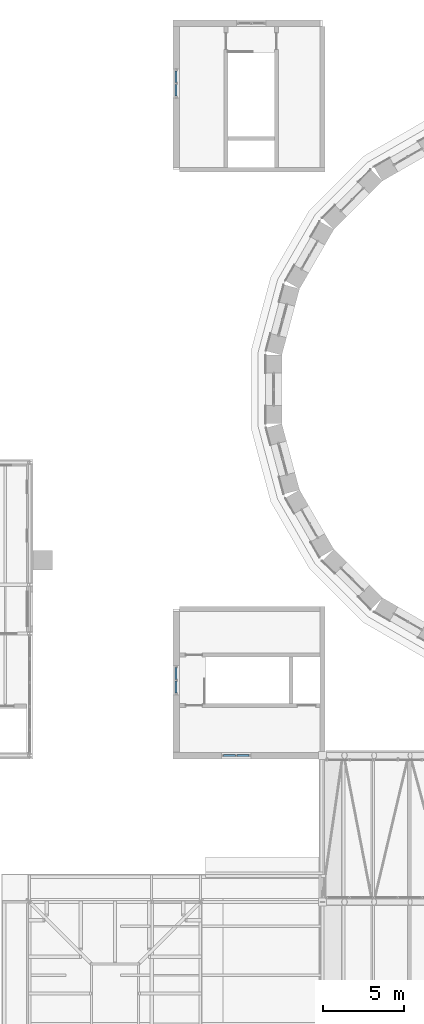
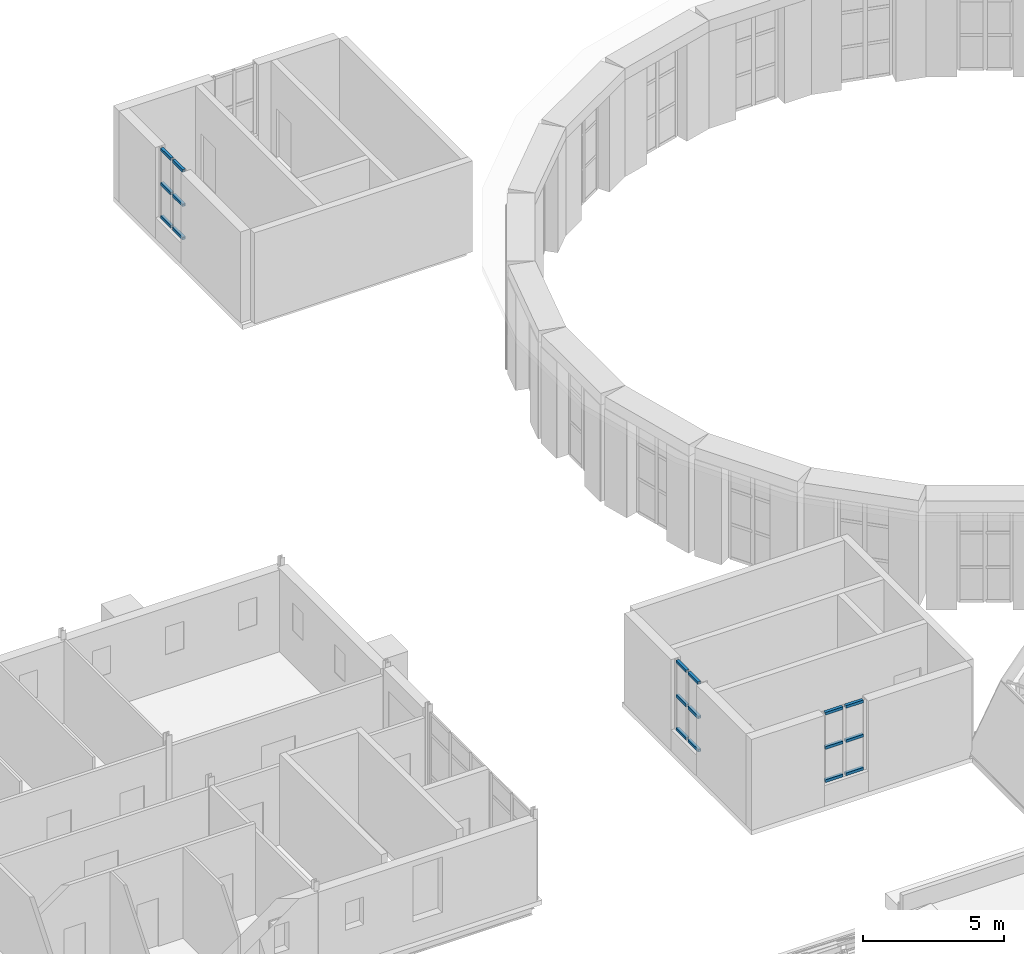
# One storey, part 68 of 121: 18 members, 3 elements without a shape of their own.
"""IFC4 building model written with IfcOpenShell, lengths in metres."""

from ifc_helpers import new_model, si_unit, direction, frame, origin, origin_2d, place, context, subcontext, project, spatial, hollow_rectangle, extrude, material, material_profile, profile_set, type_object, element, aggregate, save


model = new_model("IFC4")

# Units and contexts
model_context = context("Model", 3, precision=1e-05, world=origin(), true_north=direction((0.0, 1.0)))
body_context = subcontext(model_context, "Body", "Model", "MODEL_VIEW")
ifc_project = project(units=[si_unit("LENGTHUNIT", "METRE"), si_unit("AREAUNIT", "SQUARE_METRE"), si_unit("VOLUMEUNIT", "CUBIC_METRE"), si_unit("PLANEANGLEUNIT", "RADIAN"), si_unit("MASSUNIT", "GRAM", prefix="KILO")], contexts=[model_context])

# Site, building, storey
site_placement = place(None, origin())
site = spatial("IfcSite", under=ifc_project, at=site_placement, CompositionType="ELEMENT")
building_placement = place(site_placement, origin())
building = spatial("IfcBuilding", under=site, at=building_placement, Name="Golden Quay Civic Hall", CompositionType="ELEMENT")
storey_placement = place(building_placement, frame((0.0, 0.0, 18.60009765625)))
storey = spatial("IfcBuildingStorey", under=building, at=storey_placement, Name="L04", CompositionType="ELEMENT", Elevation=18.60009765625)

# Curtain wall, members
ifc_material_1 = material(Name="Fire-resisting glass and steel", Category="steel")
curtain_wall_type = type_object("IfcCurtainWallType", Name="Fire-resisting glazed stair curtain wall EI 120", PredefinedType="NOTDEFINED", material=ifc_material_1)
curtain_wall_1_placement = place(storey_placement, origin())
curtain_wall_1 = element("IfcCurtainWall", 1, at=curtain_wall_1_placement, inside=storey, type_object=curtain_wall_type, Name="CW4 stair curtain wall", PredefinedType="NOTDEFINED")
ifc_material_2 = material(Name="Steel S355", Category="steel")
ifc_material_profile = material_profile(ifc_material_2, hollow_rectangle(XDim=0.1201171875, YDim=0.1201171875, WallThickness=0.012451171875, at=origin_2d()), Name="SHS 120x120x12.5")
ifc_profile_set = profile_set([ifc_material_profile], Name="Steel S355")
member_type = type_object("IfcMemberType", Name="Fire-resisting steel stair transom 120 x 120", PredefinedType="USERDEFINED", material=ifc_profile_set)
member_1_placement = place(storey_placement, frame((65.919921875, 63.0, 0.9599609375), z_axis=(1.0, 0.0, 0.0), x_axis=(0.0, 1.0, 0.0)))
member_1 = element("IfcMember", 2, at=member_1_placement, type_object=member_type, Name="CW4 transom 1.1", ObjectType="TRANSOM", PredefinedType="USERDEFINED", context=body_context, shape_type="SweptSolid", body=[
    extrude(hollow_rectangle(XDim=0.1201171875, YDim=0.1201171875, WallThickness=0.012451171875, at=origin_2d()), origin(), (0.0, 0.0, 1.0), 0.719970703125),
])
member_2_placement = place(storey_placement, frame((65.919921875, 63.0, 2.39990234375), z_axis=(1.0, 0.0, 0.0), x_axis=(0.0, 1.0, 0.0)))
member_2 = element("IfcMember", 3, at=member_2_placement, type_object=member_type, Name="CW4 transom 1.2", ObjectType="TRANSOM", PredefinedType="USERDEFINED", context=body_context, shape_type="SweptSolid", body=[
    extrude(hollow_rectangle(XDim=0.1201171875, YDim=0.1201171875, WallThickness=0.012451171875, at=origin_2d()), origin(), (0.0, 0.0, 1.0), 0.719970703125),
])
member_3_placement = place(storey_placement, frame((65.919921875, 63.0, 3.889892578125), z_axis=(1.0, 0.0, 0.0), x_axis=(0.0, 1.0, 0.0)))
member_3 = element("IfcMember", 4, at=member_3_placement, type_object=member_type, Name="CW4 transom 1.3", ObjectType="TRANSOM", PredefinedType="USERDEFINED", context=body_context, shape_type="SweptSolid", body=[
    extrude(hollow_rectangle(XDim=0.1201171875, YDim=0.1201171875, WallThickness=0.012451171875, at=origin_2d()), origin(), (0.0, 0.0, 1.0), 0.719970703125),
])
member_4_placement = place(storey_placement, frame((66.760009765625, 63.0, 0.9599609375), z_axis=(1.0, 0.0, 0.0), x_axis=(0.0, 1.0, 0.0)))
member_4 = element("IfcMember", 5, at=member_4_placement, type_object=member_type, Name="CW4 transom 2.1", ObjectType="TRANSOM", PredefinedType="USERDEFINED", context=body_context, shape_type="SweptSolid", body=[
    extrude(hollow_rectangle(XDim=0.1201171875, YDim=0.1201171875, WallThickness=0.012451171875, at=origin_2d()), origin(), (0.0, 0.0, 1.0), 0.719970703125),
])
member_5_placement = place(storey_placement, frame((66.760009765625, 63.0, 2.39990234375), z_axis=(1.0, 0.0, 0.0), x_axis=(0.0, 1.0, 0.0)))
member_5 = element("IfcMember", 6, at=member_5_placement, type_object=member_type, Name="CW4 transom 2.2", ObjectType="TRANSOM", PredefinedType="USERDEFINED", context=body_context, shape_type="SweptSolid", body=[
    extrude(hollow_rectangle(XDim=0.1201171875, YDim=0.1201171875, WallThickness=0.012451171875, at=origin_2d()), origin(), (0.0, 0.0, 1.0), 0.719970703125),
])
member_6_placement = place(storey_placement, frame((66.760009765625, 63.0, 3.889892578125), z_axis=(1.0, 0.0, 0.0), x_axis=(0.0, 1.0, 0.0)))
member_6 = element("IfcMember", 7, at=member_6_placement, type_object=member_type, Name="CW4 transom 2.3", ObjectType="TRANSOM", PredefinedType="USERDEFINED", context=body_context, shape_type="SweptSolid", body=[
    extrude(hollow_rectangle(XDim=0.1201171875, YDim=0.1201171875, WallThickness=0.012451171875, at=origin_2d()), origin(), (0.0, 0.0, 1.0), 0.719970703125),
])
aggregate(curtain_wall_1, [member_1, member_2, member_3, member_4, member_5, member_6])

curtain_wall_2_placement = place(storey_placement, origin())
curtain_wall_2 = element("IfcCurtainWall", 8, at=curtain_wall_2_placement, inside=storey, type_object=curtain_wall_type, Name="CW4 stair curtain wall", PredefinedType="NOTDEFINED")
member_7_placement = place(storey_placement, frame((63.0, 66.844970703125, 0.9599609375), z_axis=(0.0, 1.0, 0.0), x_axis=(-1.0, 0.0, 0.0)))
member_7 = element("IfcMember", 9, at=member_7_placement, type_object=member_type, Name="CW4 transom 1.1", ObjectType="TRANSOM", PredefinedType="USERDEFINED", context=body_context, shape_type="SweptSolid", body=[
    extrude(hollow_rectangle(XDim=0.1201171875, YDim=0.1201171875, WallThickness=0.012451171875, at=origin_2d()), origin(), (0.0, 0.0, 1.0), 0.719970703125),
])
member_8_placement = place(storey_placement, frame((63.0, 66.844970703125, 2.39990234375), z_axis=(0.0, 1.0, 0.0), x_axis=(-1.0, 0.0, 0.0)))
member_8 = element("IfcMember", 10, at=member_8_placement, type_object=member_type, Name="CW4 transom 1.2", ObjectType="TRANSOM", PredefinedType="USERDEFINED", context=body_context, shape_type="SweptSolid", body=[
    extrude(hollow_rectangle(XDim=0.1201171875, YDim=0.1201171875, WallThickness=0.012451171875, at=origin_2d()), origin(), (0.0, 0.0, 1.0), 0.719970703125),
])
member_9_placement = place(storey_placement, frame((63.0, 66.844970703125, 3.889892578125), z_axis=(0.0, 1.0, 0.0), x_axis=(-1.0, 0.0, 0.0)))
member_9 = element("IfcMember", 11, at=member_9_placement, type_object=member_type, Name="CW4 transom 1.3", ObjectType="TRANSOM", PredefinedType="USERDEFINED", context=body_context, shape_type="SweptSolid", body=[
    extrude(hollow_rectangle(XDim=0.1201171875, YDim=0.1201171875, WallThickness=0.012451171875, at=origin_2d()), origin(), (0.0, 0.0, 1.0), 0.719970703125),
])
member_10_placement = place(storey_placement, frame((63.0, 67.68505859375, 0.9599609375), z_axis=(0.0, 1.0, 0.0), x_axis=(-1.0, 0.0, 0.0)))
member_10 = element("IfcMember", 12, at=member_10_placement, type_object=member_type, Name="CW4 transom 2.1", ObjectType="TRANSOM", PredefinedType="USERDEFINED", context=body_context, shape_type="SweptSolid", body=[
    extrude(hollow_rectangle(XDim=0.1201171875, YDim=0.1201171875, WallThickness=0.012451171875, at=origin_2d()), origin(), (0.0, 0.0, 1.0), 0.719970703125),
])
member_11_placement = place(storey_placement, frame((63.0, 67.68505859375, 2.39990234375), z_axis=(0.0, 1.0, 0.0), x_axis=(-1.0, 0.0, 0.0)))
member_11 = element("IfcMember", 13, at=member_11_placement, type_object=member_type, Name="CW4 transom 2.2", ObjectType="TRANSOM", PredefinedType="USERDEFINED", context=body_context, shape_type="SweptSolid", body=[
    extrude(hollow_rectangle(XDim=0.1201171875, YDim=0.1201171875, WallThickness=0.012451171875, at=origin_2d()), origin(), (0.0, 0.0, 1.0), 0.719970703125),
])
member_12_placement = place(storey_placement, frame((63.0, 67.68505859375, 3.889892578125), z_axis=(0.0, 1.0, 0.0), x_axis=(-1.0, 0.0, 0.0)))
member_12 = element("IfcMember", 14, at=member_12_placement, type_object=member_type, Name="CW4 transom 2.3", ObjectType="TRANSOM", PredefinedType="USERDEFINED", context=body_context, shape_type="SweptSolid", body=[
    extrude(hollow_rectangle(XDim=0.1201171875, YDim=0.1201171875, WallThickness=0.012451171875, at=origin_2d()), origin(), (0.0, 0.0, 1.0), 0.719970703125),
])
aggregate(curtain_wall_2, [member_7, member_8, member_9, member_10, member_11, member_12])

curtain_wall_3_placement = place(storey_placement, origin())
curtain_wall_3 = element("IfcCurtainWall", 15, at=curtain_wall_3_placement, inside=storey, type_object=curtain_wall_type, Name="CW4 stair curtain wall", PredefinedType="NOTDEFINED")
member_13_placement = place(storey_placement, frame((63.0, 103.52001953125, 0.9599609375), z_axis=(0.0, 1.0, 0.0), x_axis=(-1.0, 0.0, 0.0)))
member_13 = element("IfcMember", 16, at=member_13_placement, type_object=member_type, Name="CW4 transom 1.1", ObjectType="TRANSOM", PredefinedType="USERDEFINED", context=body_context, shape_type="SweptSolid", body=[
    extrude(hollow_rectangle(XDim=0.1201171875, YDim=0.1201171875, WallThickness=0.012451171875, at=origin_2d()), origin(), (0.0, 0.0, 1.0), 0.719970703125),
])
member_14_placement = place(storey_placement, frame((63.0, 103.52001953125, 2.39990234375), z_axis=(0.0, 1.0, 0.0), x_axis=(-1.0, 0.0, 0.0)))
member_14 = element("IfcMember", 17, at=member_14_placement, type_object=member_type, Name="CW4 transom 1.2", ObjectType="TRANSOM", PredefinedType="USERDEFINED", context=body_context, shape_type="SweptSolid", body=[
    extrude(hollow_rectangle(XDim=0.1201171875, YDim=0.1201171875, WallThickness=0.012451171875, at=origin_2d()), origin(), (0.0, 0.0, 1.0), 0.719970703125),
])
member_15_placement = place(storey_placement, frame((63.0, 103.52001953125, 3.889892578125), z_axis=(0.0, 1.0, 0.0), x_axis=(-1.0, 0.0, 0.0)))
member_15 = element("IfcMember", 18, at=member_15_placement, type_object=member_type, Name="CW4 transom 1.3", ObjectType="TRANSOM", PredefinedType="USERDEFINED", context=body_context, shape_type="SweptSolid", body=[
    extrude(hollow_rectangle(XDim=0.1201171875, YDim=0.1201171875, WallThickness=0.012451171875, at=origin_2d()), origin(), (0.0, 0.0, 1.0), 0.719970703125),
])
member_16_placement = place(storey_placement, frame((63.0, 104.360107421875, 0.9599609375), z_axis=(0.0, 1.0, 0.0), x_axis=(-1.0, 0.0, 0.0)))
member_16 = element("IfcMember", 19, at=member_16_placement, type_object=member_type, Name="CW4 transom 2.1", ObjectType="TRANSOM", PredefinedType="USERDEFINED", context=body_context, shape_type="SweptSolid", body=[
    extrude(hollow_rectangle(XDim=0.1201171875, YDim=0.1201171875, WallThickness=0.012451171875, at=origin_2d()), origin(), (0.0, 0.0, 1.0), 0.719970703125),
])
member_17_placement = place(storey_placement, frame((63.0, 104.360107421875, 2.39990234375), z_axis=(0.0, 1.0, 0.0), x_axis=(-1.0, 0.0, 0.0)))
member_17 = element("IfcMember", 20, at=member_17_placement, type_object=member_type, Name="CW4 transom 2.2", ObjectType="TRANSOM", PredefinedType="USERDEFINED", context=body_context, shape_type="SweptSolid", body=[
    extrude(hollow_rectangle(XDim=0.1201171875, YDim=0.1201171875, WallThickness=0.012451171875, at=origin_2d()), origin(), (0.0, 0.0, 1.0), 0.719970703125),
])
member_18_placement = place(storey_placement, frame((63.0, 104.360107421875, 3.889892578125), z_axis=(0.0, 1.0, 0.0), x_axis=(-1.0, 0.0, 0.0)))
member_18 = element("IfcMember", 21, at=member_18_placement, type_object=member_type, Name="CW4 transom 2.3", ObjectType="TRANSOM", PredefinedType="USERDEFINED", context=body_context, shape_type="SweptSolid", body=[
    extrude(hollow_rectangle(XDim=0.1201171875, YDim=0.1201171875, WallThickness=0.012451171875, at=origin_2d()), origin(), (0.0, 0.0, 1.0), 0.719970703125),
])
aggregate(curtain_wall_3, [member_13, member_14, member_15, member_16, member_17, member_18])

save(model, "model.ifc")
